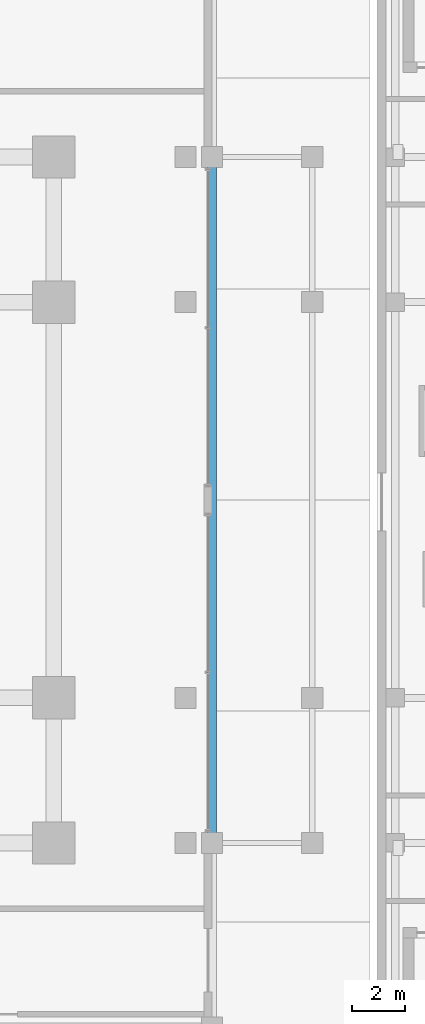
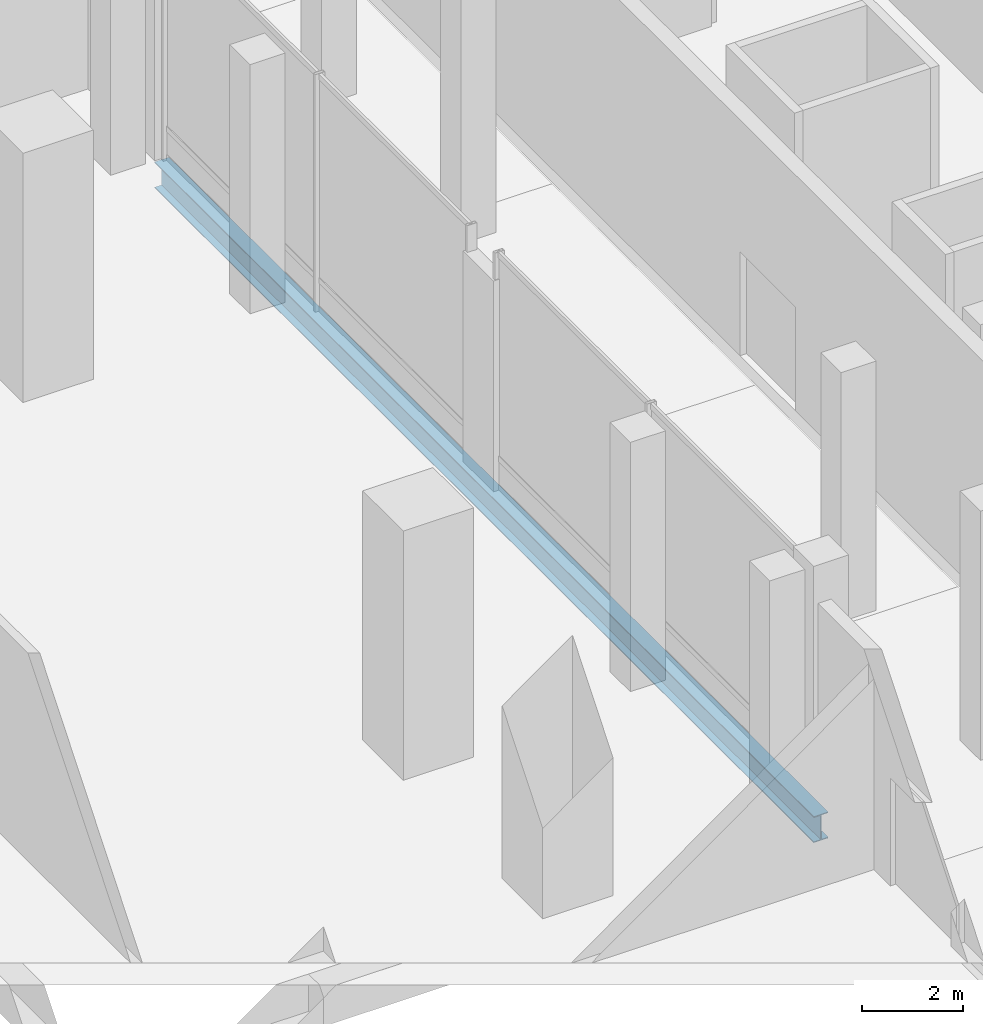
# One storey, part 11 of 34: 1 beam.
"""IFC4 building model written with IfcOpenShell, lengths in metres."""

import ifcopenshell
import ifcopenshell.guid

model = None  # the IFC model being written
_history = None  # IfcOwnerHistory: only IFC2X3 demands one
_inside = {}  # id of a spatial element -> (the spatial element, [elements in it])
_under = {}  # id of a project, library or spatial element -> (it, [spatial elements below it])
_declared = {}  # id of a project -> (the project, [libraries it declares])
_typed = {}  # id of a type object -> (the type object, [elements of that type])
_made_of = {}  # id of a material, layer set ... -> (it, [elements and type objects made of it])


def new_model(schema):
    """Start an empty IFC model of exactly this schema.

    Asked for "IFC4X3", IfcOpenShell would pick the latest addendum, in which some entities
    have other attributes; the version numbers below select the first issue.
    IFC2X3 requires an IfcOwnerHistory on every rooted entity: one is made here for all.
    """
    global model, _history
    if schema == "IFC4X3":
        model = ifcopenshell.file(schema_version=(4, 3, 0, 0))
    else:
        model = ifcopenshell.file(schema=schema)
    _inside.clear()
    _under.clear()
    _declared.clear()
    _typed.clear()
    _made_of.clear()
    _history = None
    if model.schema == "IFC2X3":
        org = make("IfcOrganization", Name="unknown")
        user = make(
            "IfcPersonAndOrganization",
            ThePerson=make("IfcPerson", FamilyName="unknown"),
            TheOrganization=org,
        )
        app = make(
            "IfcApplication",
            ApplicationDeveloper=org,
            Version="unknown",
            ApplicationFullName="unknown",
            ApplicationIdentifier="unknown",
        )
        _history = make(
            "IfcOwnerHistory",
            OwningUser=user,
            OwningApplication=app,
            ChangeAction="ADDED",
            CreationDate=0,
        )
    return model


def make(cls, **values):
    """One entity of the class cls with the attributes given. An attribute that is None is left unset."""
    return model.create_entity(
        cls, **{name: value for name, value in values.items() if value is not None}
    )


def rooted(cls, **values):
    """An entity with a GlobalId (a new one), such as an element, a storey or a relation."""
    return make(cls, GlobalId=ifcopenshell.guid.new(), OwnerHistory=_history, **values)


def si_unit(unit_type, name, prefix=None):
    """IfcSIUnit, for example si_unit("LENGTHUNIT", "METRE", prefix="MILLI")."""
    return make("IfcSIUnit", UnitType=unit_type, Prefix=prefix, Name=name)


def assignment(units):
    """IfcUnitAssignment: the units of a project."""
    return None if units is None else make("IfcUnitAssignment", Units=units)


def point(xyz):
    """IfcCartesianPoint."""
    return None if xyz is None else make("IfcCartesianPoint", Coordinates=xyz)


def direction(xyz):
    """IfcDirection."""
    return None if xyz is None else make("IfcDirection", DirectionRatios=xyz)


def frame(location, z_axis=None, x_axis=None):
    """IfcAxis2Placement3D, a coordinate frame: its origin and axes. An axis left out is left unset."""
    return make(
        "IfcAxis2Placement3D",
        Location=point(location),
        Axis=direction(z_axis),
        RefDirection=direction(x_axis),
    )


def frame_2d(location, x_axis=None):
    """IfcAxis2Placement2D, a coordinate frame in the plane: its origin and x axis."""
    return make(
        "IfcAxis2Placement2D", Location=point(location), RefDirection=direction(x_axis)
    )


def origin():
    """The frame at (0, 0, 0) with its axes left unset."""
    return frame((0.0, 0.0, 0.0))


def origin_2d():
    """The frame at (0, 0) in the plane with its x axis left unset."""
    return frame_2d((0.0, 0.0))


def place(relative_to, where):
    """IfcLocalPlacement: puts the frame where relative to a parent placement (None: the world)."""
    return make(
        "IfcLocalPlacement", PlacementRelTo=relative_to, RelativePlacement=where
    )


def context(
    kind, dimensions, precision=None, world=None, true_north=None, identifier=None
):
    """IfcGeometricRepresentationContext, for example the 3D "Model" context."""
    return make(
        "IfcGeometricRepresentationContext",
        ContextIdentifier=identifier,
        ContextType=kind,
        CoordinateSpaceDimension=dimensions,
        Precision=precision,
        WorldCoordinateSystem=world,
        TrueNorth=true_north,
    )


def subcontext(parent, identifier, kind, view, scale=None):
    """IfcGeometricRepresentationSubContext, for example "Body" below "Model"."""
    return make(
        "IfcGeometricRepresentationSubContext",
        ContextIdentifier=identifier,
        ContextType=kind,
        ParentContext=parent,
        TargetScale=scale,
        TargetView=view,
    )


def project(units=None, contexts=None):
    """IfcProject with its units and contexts."""
    return rooted(
        "IfcProject",
        Name="project",
        RepresentationContexts=contexts,
        UnitsInContext=assignment(units),
    )


def spatial(cls, under=None, at=None, **own):
    """A site, building, storey or space (cls), placed at a placement, below another one or the project."""
    s = rooted(cls, ObjectPlacement=at, **own)
    if under is not None:
        _under.setdefault(under.id(), (under, []))[1].append(s)
    return s


def profile(cls, at=None, kind="AREA", **sizes):
    """A parametric profile (cls). Its sizes go by their IFC names, for example OverallWidth=200.0."""
    return make(cls, ProfileType=kind, Position=at, **sizes)


def i_section(**sizes):
    """IfcIShapeProfileDef."""
    return profile("IfcIShapeProfileDef", **sizes)


def extrude(swept, where, along, depth):
    """IfcExtrudedAreaSolid: the profile swept, set in the frame where, extruded along a direction by depth."""
    return make(
        "IfcExtrudedAreaSolid",
        SweptArea=swept,
        Position=where,
        ExtrudedDirection=direction(along),
        Depth=depth,
    )


def shape(context_of_items, identifier, shape_type, items):
    """IfcShapeRepresentation: the items that make up one representation, for example the "Body"."""
    return make(
        "IfcShapeRepresentation",
        ContextOfItems=context_of_items,
        RepresentationIdentifier=identifier,
        RepresentationType=shape_type,
        Items=items,
    )


def material(Name=None, Category=None):
    """IfcMaterial."""
    return make("IfcMaterial", Name=Name, Category=Category)


def material_profile(
    of_material, cross_section, Name=None, Category=None, Priority=None
):
    """IfcMaterialProfile: a cross section and its material."""
    return make(
        "IfcMaterialProfile",
        Name=Name,
        Material=of_material,
        Profile=cross_section,
        Priority=Priority,
        Category=Category,
    )


def profile_set(profiles, Name=None, composite=None):
    """IfcMaterialProfileSet."""
    return make(
        "IfcMaterialProfileSet",
        Name=Name,
        MaterialProfiles=profiles,
        CompositeProfile=composite,
    )


def made_of(thing, what):
    """Note that an element or type object is made of a material, layer set ...; save() writes the relation."""
    if what is not None:
        _made_of.setdefault(what.id(), (what, []))[1].append(thing)
    return thing


def type_object(cls, material=None, **own):
    """A type object (cls), such as IfcWallType, which elements share."""
    return made_of(rooted(cls, **own), material)


def element(
    cls,
    number,
    at=None,
    inside=None,
    cuts=None,
    type_object=None,
    material=None,
    context=None,
    identifier="Body",
    shape_type=None,
    held_by="IfcProductDefinitionShape",
    body=None,
    shapes=None,
    **own,
):
    """One element of the class cls, such as IfcWall. Its Tag is "e" and its number.

    at: its placement. inside: the storey or other place that contains it. cuts: it is an
    opening in that element (IfcRelVoidsElement). A single representation is given by context,
    identifier, shape_type and body (its items); several are given by shapes. held_by: the class
    of the entity that holds the representations. save() writes the other relations.
    """
    e = rooted(cls, Tag="e%d" % number, ObjectPlacement=at, **own)
    if body is not None:
        shapes = [shape(context, identifier, shape_type, body)]
    if shapes is not None:
        e.Representation = make(held_by, Representations=shapes)
    if inside is not None:
        _inside.setdefault(inside.id(), (inside, []))[1].append(e)
    if cuts is not None:
        rooted(
            "IfcRelVoidsElement", RelatingBuildingElement=cuts, RelatedOpeningElement=e
        )
    if type_object is not None:
        _typed.setdefault(type_object.id(), (type_object, []))[1].append(e)
    return made_of(e, material)


def aggregate(whole, parts):
    """IfcRelAggregates: a whole, such as a stair, and the parts it consists of."""
    return rooted("IfcRelAggregates", RelatingObject=whole, RelatedObjects=parts)


def save(model, path):
    """Write the relations noted so far, then the file.

    IfcRelAggregates (storeys below a building ...), IfcRelContainedInSpatialStructure (elements
    in a storey), IfcRelDefinesByType, IfcRelAssociatesMaterial and IfcRelDeclares: one each for
    every whole, place, type object, material and project.
    """
    for whole, parts in _under.values():
        aggregate(whole, parts)
    for where, things in _inside.values():
        rooted(
            "IfcRelContainedInSpatialStructure",
            RelatedElements=things,
            RelatingStructure=where,
        )
    for kind, things in _typed.values():
        rooted("IfcRelDefinesByType", RelatedObjects=things, RelatingType=kind)
    for what, things in _made_of.values():
        rooted("IfcRelAssociatesMaterial", RelatedObjects=things, RelatingMaterial=what)
    for by, libraries in _declared.values():
        rooted("IfcRelDeclares", RelatingContext=by, RelatedDefinitions=libraries)
    model.write(path)


model = new_model("IFC4")

# Units and contexts
model_context = context("Model", 3, precision=1e-05, world=origin(), true_north=direction((0.0, 1.0)))
body_context = subcontext(model_context, "Body", "Model", "MODEL_VIEW")
ifc_project = project(units=[si_unit("LENGTHUNIT", "METRE"), si_unit("AREAUNIT", "SQUARE_METRE"), si_unit("VOLUMEUNIT", "CUBIC_METRE"), si_unit("PLANEANGLEUNIT", "RADIAN"), si_unit("MASSUNIT", "GRAM", prefix="KILO")], contexts=[model_context])

# Site, building, storey
site_placement = place(None, origin())
site = spatial("IfcSite", under=ifc_project, at=site_placement, CompositionType="ELEMENT")
building_placement = place(site_placement, origin())
building = spatial("IfcBuilding", under=site, at=building_placement, Name="Barlavira Tower and Art Museum", CompositionType="ELEMENT")
storey_placement = place(building_placement, origin())
storey = spatial("IfcBuildingStorey", under=building, at=storey_placement, Name="L00", CompositionType="ELEMENT", Elevation=0.0)

# Beam
ifc_material = material(Name="Steel S355", Category="steel")
ifc_material_profile = material_profile(ifc_material, i_section(OverallWidth=0.327880859375, OverallDepth=0.62890625, WebThickness=0.013916015625, FlangeThickness=0.021484375, at=origin_2d()), Name="W610x174.0")
ifc_profile_set = profile_set([ifc_material_profile], Name="Steel S355")
beam_type = type_object("IfcBeamType", Name="Perimeter Spandrel Edge Beam W610x174 Steel S355", PredefinedType="SPANDREL", material=ifc_profile_set)
beam_placement = place(storey_placement, frame((23.0, -13.0, -0.66455078125), z_axis=(0.0, 1.0, 0.0), x_axis=(-1.0, 0.0, 0.0)))
element("IfcBeam", 1, at=beam_placement, inside=storey, type_object=beam_type, Name="L00 Podium Spandrel PE2", PredefinedType="SPANDREL", context=body_context, shape_type="SweptSolid", body=[
    extrude(i_section(OverallWidth=0.327880859375, OverallDepth=0.62890625, WebThickness=0.013916015625, FlangeThickness=0.021484375, at=origin_2d()), origin(), (0.0, 0.0, 1.0), 26.0),
])

save(model, "model.ifc")
